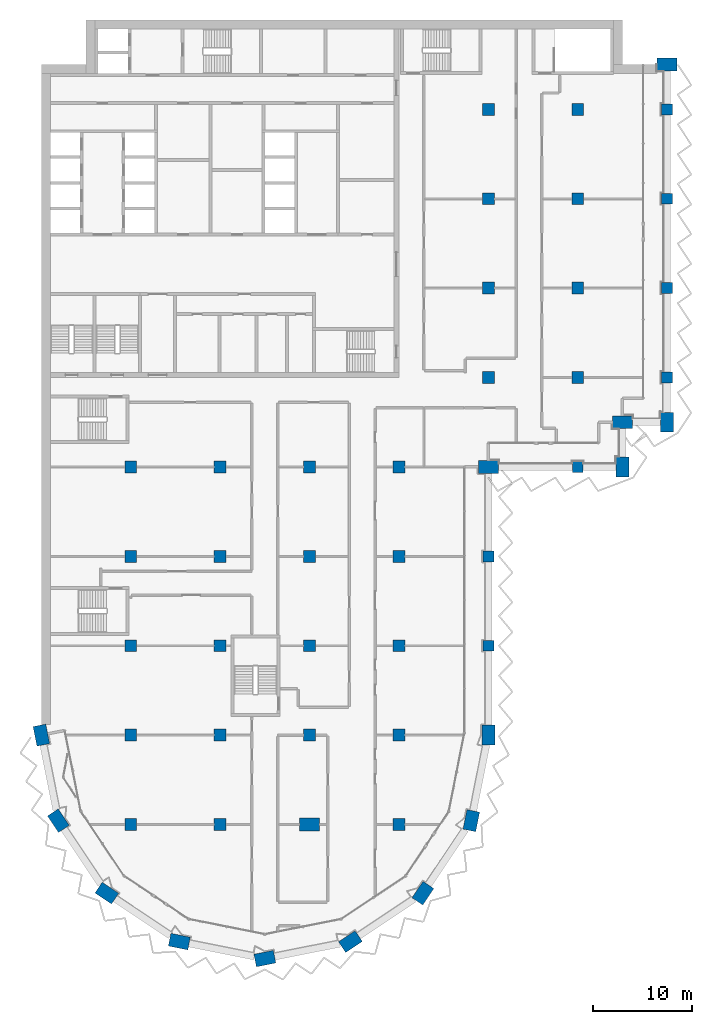
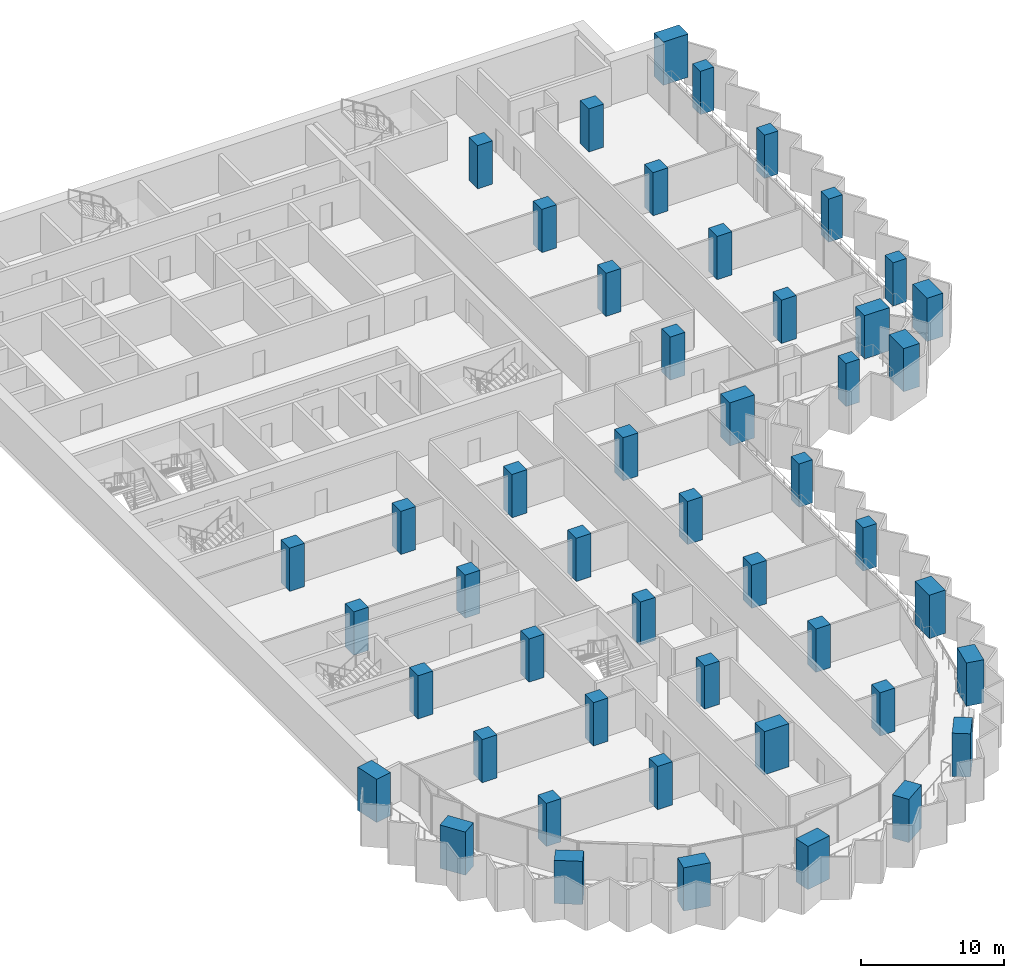
# One storey, part 1 of 22: 49 columns.
"""IFC4 building model written with IfcOpenShell, lengths in metres."""

from ifc_helpers import new_model, si_unit, direction, frame, origin, origin_2d, place, context, subcontext, project, spatial, rectangle, extrude, material, material_profile, profile_set, type_object, element, save


model = new_model("IFC4")

# Units and contexts
model_context = context("Model", 3, precision=1e-05, world=origin(), true_north=direction((0.0, 1.0)))
body_context = subcontext(model_context, "Body", "Model", "MODEL_VIEW")
ifc_project = project(units=[si_unit("LENGTHUNIT", "METRE"), si_unit("AREAUNIT", "SQUARE_METRE"), si_unit("VOLUMEUNIT", "CUBIC_METRE"), si_unit("PLANEANGLEUNIT", "RADIAN"), si_unit("MASSUNIT", "GRAM", prefix="KILO")], contexts=[model_context])

# Site, building, storey
site_placement = place(None, origin())
site = spatial("IfcSite", under=ifc_project, at=site_placement, CompositionType="ELEMENT")
building_placement = place(site_placement, origin())
building = spatial("IfcBuilding", under=site, at=building_placement, Name="Hunhe Ridgeline Campus", CompositionType="ELEMENT")
storey_placement = place(building_placement, frame((0.0, 0.0, 174.5)))
storey = spatial("IfcBuildingStorey", under=building, at=storey_placement, Name="L44", CompositionType="ELEMENT", Elevation=174.5)

# Columns
ifc_material = material(Name="Concrete C70", Category="concrete")
ifc_material_profile_1 = material_profile(ifc_material, rectangle(XDim=2.0, YDim=1.300048828125, at=origin_2d()))
ifc_profile_set_1 = profile_set([ifc_material_profile_1], Name="Concrete C70")
column_type_1 = type_object("IfcColumnType", Name="Megacolumn 2000x1300 Concrete C70", PredefinedType="COLUMN", material=ifc_profile_set_1)
for number, where, z_axis, x_axis, name in (
    (1, (22.5, 4.5, 0.0), (0.0, 0.0, 1.0), (0.980785280403, 0.195090322016, 0.0), "Column C9 R1 L44"),
    (2, (13.8896484375, 6.212646484375, 0.0), (0.0, 0.0, 1.0), (-0.980785280403, 0.195090322016, 0.0), "Column C9 R2 L44"),
    (3, (31.1103515625, 6.212646484375, 0.0), (0.0, 0.0, 1.0), (0.831469612303, 0.55557023302, 0.0), "Column C9 R3 L44"),
    (4, (6.590087890625, 11.090087890625, 0.0), (0.0, 0.0, 1.0), (-0.831469612303, 0.55557023302, 0.0), "Column C9 R4 L44"),
    (5, (38.409912109375, 11.090087890625, 0.0), (0.0, 0.0, 1.0), (0.55557023302, 0.831469612303, 0.0), "Column C9 R5 L44"),
    (6, (1.712646484375, 18.3896484375, 0.0), (0.0, 0.0, 1.0), (-0.55557023302, 0.831469612303, 0.0), "Column C9 R9 L44"),
    (7, (43.287353515625, 18.3896484375, 0.0), (0.0, 0.0, 1.0), (0.195090322016, 0.980785280403, 0.0), "Column C9 R10 L44"),
    (8, (0.0, 27.0, 0.0), (0.0, 0.0, 1.0), (-0.195090322016, 0.980785280403, 0.0), "Column C9 D1 L44"),
    (9, (45.0, 27.0, 0.0), (0.0, 0.0, 1.0), (0.0, 1.0, 0.0), "Column C9 D6 L44"),
    (10, (45.0, 54.0, 0.0), (0.0, 0.0, 1.0), (1.0, 0.0, 0.0), "Column C9 G6 L44"),
    (11, (58.5, 54.0, 0.0), (0.0, 0.0, 1.0), (0.0, 1.0, 0.0), "Column C9 R30 L44"),
    (12, (58.5, 58.5, 0.0), (0.0, 0.0, 1.0), (1.0, 0.0, 0.0), "Column C9 R35 L44"),
    (13, (63.0, 58.5, 0.0), (0.0, 0.0, 1.0), (0.0, 1.0, 0.0), "Column C9 R36 L44"),
    (14, (63.0, 94.5, 0.0), (0.0, 0.0, 1.0), (1.0, 0.0, 0.0), "Column C9 R42 L44"),
    (15, (27.0, 18.0, 0.0), (0.0, 0.0, 1.0), (1.0, 0.0, 0.0), "Column C9 C4 L44"),
):
    element("IfcColumn", number, at=place(storey_placement, frame(where, z_axis=z_axis, x_axis=x_axis)), inside=storey, type_object=column_type_1, Name=name, PredefinedType="COLUMN", context=body_context, shape_type="SweptSolid", body=[
        extrude(rectangle(XDim=2.0, YDim=1.300048828125, at=origin_2d()), origin(), (0.0, 0.0, 1.0), 3.699951171875),
    ])
ifc_material_profile_2 = material_profile(ifc_material, rectangle(XDim=1.10009765625, YDim=1.10009765625, at=origin_2d()))
ifc_profile_set_2 = profile_set([ifc_material_profile_2], Name="Concrete C70")
column_type_2 = type_object("IfcColumnType", Name="RC column 1100x1100 Concrete C70", PredefinedType="COLUMN", material=ifc_profile_set_2)
for number, where, z_axis, x_axis, name in (
    (16, (45.0, 36.0, 0.0), (0.0, 0.0, 1.0), (1.0, 0.0, 0.0), "Column C10 E6 L44"),
    (17, (45.0, 45.0, 0.0), (0.0, 0.0, 1.0), (1.0, 0.0, 0.0), "Column C10 F6 L44"),
    (18, (54.0, 54.0, 0.0), (0.0, 0.0, 1.0), (1.0, 0.0, 0.0), "Column C10 G7 L44"),
    (19, (63.0, 63.0, 0.0), (0.0, 0.0, 1.0), (1.0, 0.0, 0.0), "Column C10 H8 L44"),
    (20, (63.0, 72.0, 0.0), (0.0, 0.0, 1.0), (1.0, 0.0, 0.0), "Column C10 I8 L44"),
    (21, (63.0, 81.0, 0.0), (0.0, 0.0, 1.0), (1.0, 0.0, 0.0), "Column C10 J8 L44"),
    (22, (63.0, 90.0, 0.0), (0.0, 0.0, 1.0), (1.0, 0.0, 0.0), "Column C10 K8 L44"),
):
    element("IfcColumn", number, at=place(storey_placement, frame(where, z_axis=z_axis, x_axis=x_axis)), inside=storey, type_object=column_type_2, Name=name, PredefinedType="COLUMN", context=body_context, shape_type="SweptSolid", body=[
        extrude(rectangle(XDim=1.10009765625, YDim=1.10009765625, at=origin_2d()), origin(), (0.0, 0.0, 1.0), 3.699951171875),
    ])
ifc_material_profile_3 = material_profile(ifc_material, rectangle(XDim=1.199951171875, YDim=1.199951171875, at=origin_2d()))
ifc_profile_set_3 = profile_set([ifc_material_profile_3], Name="Concrete C70")
column_type_3 = type_object("IfcColumnType", Name="RC column 1200x1200 Concrete C70", PredefinedType="COLUMN", material=ifc_profile_set_3)
for number, where, z_axis, x_axis, name in (
    (23, (9.0, 18.0, 0.0), (0.0, 0.0, 1.0), (1.0, 0.0, 0.0), "Column C7 C2 L44"),
    (24, (9.0, 27.0, 0.0), (0.0, 0.0, 1.0), (1.0, 0.0, 0.0), "Column C7 D2 L44"),
    (25, (9.0, 36.0, 0.0), (0.0, 0.0, 1.0), (1.0, 0.0, 0.0), "Column C7 E2 L44"),
    (26, (9.0, 45.0, 0.0), (0.0, 0.0, 1.0), (1.0, 0.0, 0.0), "Column C7 F2 L44"),
    (27, (9.0, 54.0, 0.0), (0.0, 0.0, 1.0), (1.0, 0.0, 0.0), "Column C7 G2 L44"),
    (28, (18.0, 18.0, 0.0), (0.0, 0.0, 1.0), (1.0, 0.0, 0.0), "Column C7 C3 L44"),
    (29, (18.0, 27.0, 0.0), (0.0, 0.0, 1.0), (1.0, 0.0, 0.0), "Column C7 D3 L44"),
    (30, (18.0, 36.0, 0.0), (0.0, 0.0, 1.0), (1.0, 0.0, 0.0), "Column C7 E3 L44"),
    (31, (18.0, 45.0, 0.0), (0.0, 0.0, 1.0), (1.0, 0.0, 0.0), "Column C7 F3 L44"),
    (32, (18.0, 54.0, 0.0), (0.0, 0.0, 1.0), (1.0, 0.0, 0.0), "Column C7 G3 L44"),
    (33, (27.0, 27.0, 0.0), (0.0, 0.0, 1.0), (1.0, 0.0, 0.0), "Column C7 D4 L44"),
    (34, (27.0, 36.0, 0.0), (0.0, 0.0, 1.0), (1.0, 0.0, 0.0), "Column C7 E4 L44"),
    (35, (27.0, 45.0, 0.0), (0.0, 0.0, 1.0), (1.0, 0.0, 0.0), "Column C7 F4 L44"),
    (36, (27.0, 54.0, 0.0), (0.0, 0.0, 1.0), (1.0, 0.0, 0.0), "Column C7 G4 L44"),
    (37, (36.0, 18.0, 0.0), (0.0, 0.0, 1.0), (1.0, 0.0, 0.0), "Column C7 C5 L44"),
    (38, (36.0, 27.0, 0.0), (0.0, 0.0, 1.0), (1.0, 0.0, 0.0), "Column C7 D5 L44"),
    (39, (36.0, 36.0, 0.0), (0.0, 0.0, 1.0), (1.0, 0.0, 0.0), "Column C7 E5 L44"),
    (40, (36.0, 45.0, 0.0), (0.0, 0.0, 1.0), (1.0, 0.0, 0.0), "Column C7 F5 L44"),
    (41, (36.0, 54.0, 0.0), (0.0, 0.0, 1.0), (1.0, 0.0, 0.0), "Column C7 G5 L44"),
    (42, (45.0, 63.0, 0.0), (0.0, 0.0, 1.0), (1.0, 0.0, 0.0), "Column C7 H6 L44"),
    (43, (45.0, 72.0, 0.0), (0.0, 0.0, 1.0), (1.0, 0.0, 0.0), "Column C7 I6 L44"),
    (44, (45.0, 81.0, 0.0), (0.0, 0.0, 1.0), (1.0, 0.0, 0.0), "Column C7 J6 L44"),
    (45, (45.0, 90.0, 0.0), (0.0, 0.0, 1.0), (1.0, 0.0, 0.0), "Column C7 K6 L44"),
    (46, (54.0, 63.0, 0.0), (0.0, 0.0, 1.0), (1.0, 0.0, 0.0), "Column C7 H7 L44"),
    (47, (54.0, 72.0, 0.0), (0.0, 0.0, 1.0), (1.0, 0.0, 0.0), "Column C7 I7 L44"),
    (48, (54.0, 81.0, 0.0), (0.0, 0.0, 1.0), (1.0, 0.0, 0.0), "Column C7 J7 L44"),
    (49, (54.0, 90.0, 0.0), (0.0, 0.0, 1.0), (1.0, 0.0, 0.0), "Column C7 K7 L44"),
):
    element("IfcColumn", number, at=place(storey_placement, frame(where, z_axis=z_axis, x_axis=x_axis)), inside=storey, type_object=column_type_3, Name=name, PredefinedType="COLUMN", context=body_context, shape_type="SweptSolid", body=[
        extrude(rectangle(XDim=1.199951171875, YDim=1.199951171875, at=origin_2d()), origin(), (0.0, 0.0, 1.0), 3.699951171875),
    ])

save(model, "model.ifc")
